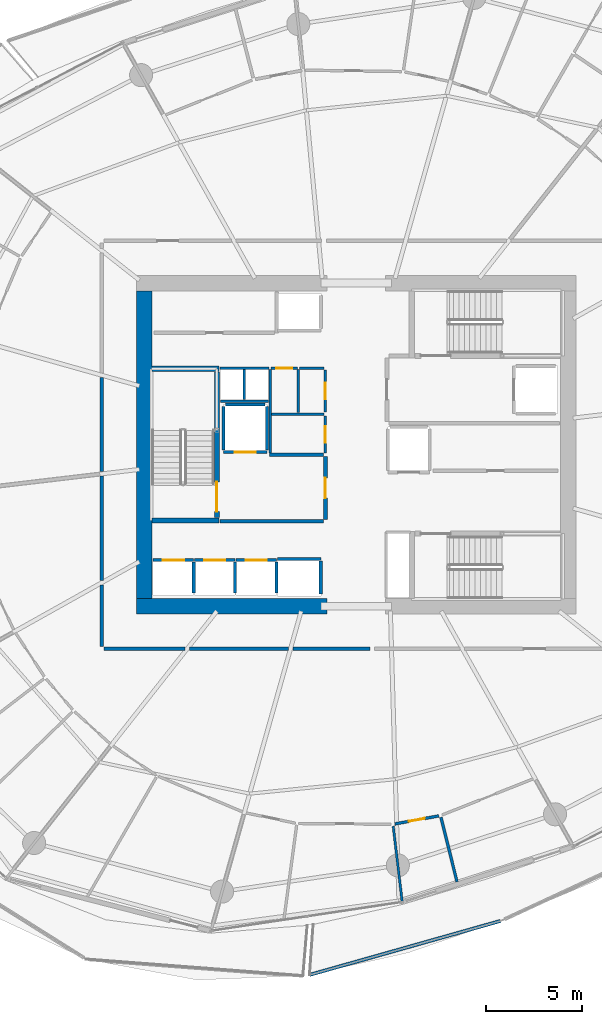
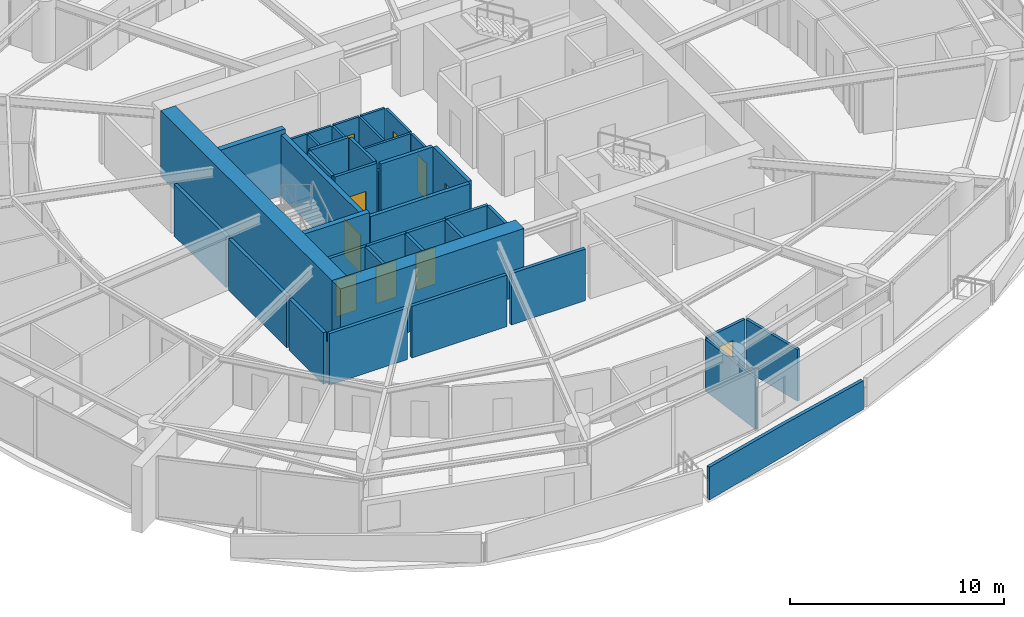
# One storey, part 12 of 23: 40 walls, 10 doors, 10 openings.
"""IFC4 building model written with IfcOpenShell, lengths in metres."""

from ifc_helpers import new_model, si_unit, direction, frame, frame_2d, origin, place, context, subcontext, project, spatial, polyline, rectangle, outline, extrude, material, layer, layer_set, type_object, element, fill, save


model = new_model("IFC4")

# Units and contexts
model_context = context("Model", 3, precision=1e-05, world=origin(), true_north=direction((0.0, 1.0)))
body_context = subcontext(model_context, "Body", "Model", "MODEL_VIEW")
ifc_project = project(units=[si_unit("LENGTHUNIT", "METRE"), si_unit("AREAUNIT", "SQUARE_METRE"), si_unit("VOLUMEUNIT", "CUBIC_METRE"), si_unit("PLANEANGLEUNIT", "RADIAN"), si_unit("MASSUNIT", "GRAM", prefix="KILO")], contexts=[model_context])

# Site, building, storey
site_placement = place(None, origin())
site = spatial("IfcSite", under=ifc_project, at=site_placement, CompositionType="ELEMENT")
building_placement = place(site_placement, origin())
building = spatial("IfcBuilding", under=site, at=building_placement, Name="Kazma Halo Residences", CompositionType="ELEMENT")
storey_placement = place(building_placement, frame((0.0, 0.0, 108.89990234375)))
storey = spatial("IfcBuildingStorey", under=building, at=storey_placement, Name="L27", CompositionType="ELEMENT", Elevation=108.89990234375)

# Walls
ifc_material_1 = material(Name="White Concrete C50/60 Balustrade", Category="concrete")
ifc_layer_1 = layer(ifc_material_1, 0.179931640625)
ifc_layer_set_1 = layer_set([ifc_layer_1], Name="White Concrete C50/60 Balustrade")
wall_type_1 = type_object("IfcWallType", Name="WL-BAL-WAVE-180", PredefinedType="PARAPET", material=ifc_layer_set_1)
wall_1_placement = place(storey_placement, frame((46.0, 14.43603515625, 0.0), z_axis=(0.0, 0.0, 1.0), x_axis=(0.962322473133, 0.271910753195, 0.0)))
element("IfcWall", 1, at=wall_1_placement, inside=storey, type_object=wall_type_1, Name="L27 white wave balustrade wall SSE.1", PredefinedType="PARAPET", context=body_context, shape_type="SweptSolid", body=[
    extrude(outline(polyline([(0.0, 0.0), (10.3076171875, 0.0), (10.3076171875, 1.632080078125), (5.15380859375, 1.798095703125), (0.0, 1.860107421875), (0.0, 0.0)])), frame((0.0, 0.08984375, 0.0), z_axis=(0.0, -1.0, 0.0), x_axis=(1.0, 0.0, 0.0)), (0.0, 0.0, 1.0), 0.179931640625),
])
ifc_material_2 = material(Name="Concrete C80/95", Category="concrete")
ifc_layer_2 = layer(ifc_material_2, 0.800048828125)
ifc_layer_set_2 = layer_set([ifc_layer_2], Name="Concrete C80/95")
wall_type_2 = type_object("IfcWallType", Name="WL-CORE-800", PredefinedType="SHEAR", material=ifc_layer_set_2)
wall_2_placement = place(storey_placement, frame((37.0, 33.60009765625, 0.0), z_axis=(0.0, 0.0, 1.0), x_axis=(1.0, 0.0, 0.0)))
element("IfcWall", 2, at=wall_2_placement, inside=storey, type_object=wall_type_2, Name="L27 central core shear wall SW", PredefinedType="SHEAR", context=body_context, shape_type="SweptSolid", body=[
    extrude(rectangle(XDim=9.89990234375, YDim=0.800048828125, at=frame_2d((4.949951171875, 0.0))), origin(), (0.0, 0.0, 1.0), 3.75),
])
wall_3_placement = place(storey_placement, frame((37.39990234375, 34.0, 0.0), z_axis=(0.0, 0.0, 1.0), x_axis=(0.0, 1.0, 0.0)))
element("IfcWall", 3, at=wall_3_placement, inside=storey, type_object=wall_type_2, Name="L27 central core shear wall W", PredefinedType="SHEAR", context=body_context, shape_type="SweptSolid", body=[
    extrude(rectangle(XDim=16.0, YDim=0.800048828125, at=frame_2d((8.0, 0.0))), origin(), (0.0, 0.0, 1.0), 3.75),
])
ifc_material_3 = material(Name="Concrete C60/75", Category="concrete")
ifc_layer_3 = layer(ifc_material_3, 0.280029296875)
ifc_layer_set_3 = layer_set([ifc_layer_3], Name="Concrete C60/75")
wall_type_3 = type_object("IfcWallType", Name="WL-CORE-ST-280", PredefinedType="SHEAR", material=ifc_layer_set_3)
for number, where, z_axis, x_axis, name in (
    (4, (37.800048828125, 38.06005859375, 0.0), (0.0, 0.0, 1.0), (1.0, 0.0, 0.0), "L27 stairwell bearing wall ST01-S"),
    (5, (37.800048828125, 45.93994140625, 0.0), (0.0, 0.0, 1.0), (1.0, 0.0, 0.0), "L27 stairwell bearing wall ST01-N"),
):
    element("IfcWall", number, at=place(storey_placement, frame(where, z_axis=z_axis, x_axis=x_axis)), inside=storey, type_object=wall_type_3, Name=name, PredefinedType="SHEAR", context=body_context, shape_type="SweptSolid", body=[
        extrude(rectangle(XDim=3.5, YDim=0.280029296875, at=frame_2d((1.75, 0.0))), origin(), (0.0, 0.0, 1.0), 3.75),
    ])
ifc_material_4 = material(Name="Acoustic Twin-Stud Gypsum")
ifc_layer_4 = layer(ifc_material_4, 0.179931640625)
ifc_layer_set_4 = layer_set([ifc_layer_4], Name="Acoustic Twin-Stud Gypsum")
wall_type_4 = type_object("IfcWallType", Name="WL-DEM-180", PredefinedType="PARTITIONING", material=ifc_layer_set_4)
wall_4_placement = place(storey_placement, frame((35.199951171875, 45.489990234375, 0.0), z_axis=(0.0, 0.0, 1.0), x_axis=(0.0, -1.0, 0.0)))
element("IfcWall", 6, at=wall_4_placement, inside=storey, type_object=wall_type_4, Name="L27 Apartment 1 inner wall 6", PredefinedType="PARTITIONING", context=body_context, shape_type="SweptSolid", body=[
    extrude(rectangle(XDim=4.885009765625, YDim=0.179931640625, at=frame_2d((2.4423828125, 0.0))), origin(), (0.0, 0.0, 1.0), 2.940185546875),
])
wall_5_placement = place(storey_placement, frame((35.199951171875, 40.364990234375, 0.0), z_axis=(0.0, 0.0, 1.0), x_axis=(0.0, -1.0, 0.0)))
element("IfcWall", 7, at=wall_5_placement, inside=storey, type_object=wall_type_4, Name="L27 Apartment 2 inner wall 7", PredefinedType="PARTITIONING", context=body_context, shape_type="SweptSolid", body=[
    extrude(rectangle(XDim=5.413330078125, YDim=0.179931640625, at=frame_2d((2.70654296875, 0.0))), origin(), (0.0, 0.0, 1.0), 2.940185546875),
])
wall_6_placement = place(storey_placement, frame((35.199951171875, 34.711669921875, 0.0), z_axis=(0.0, 0.0, 1.0), x_axis=(0.0, -1.0, 0.0)))
element("IfcWall", 8, at=wall_6_placement, inside=storey, type_object=wall_type_4, Name="L27 Apartment 2 inner wall 8", PredefinedType="PARTITIONING", context=body_context, shape_type="SweptSolid", body=[
    extrude(rectangle(XDim=3.191650390625, YDim=0.179931640625, at=frame_2d((1.595703125, 0.0))), origin(), (0.0, 0.0, 1.0), 2.940185546875),
])
wall_7_placement = place(storey_placement, frame((35.320068359375, 31.39990234375, 0.0), z_axis=(0.0, 0.0, 1.0), x_axis=(1.0, 0.0, 0.0)))
element("IfcWall", 9, at=wall_7_placement, inside=storey, type_object=wall_type_4, Name="L27 Apartment 2 inner wall 8", PredefinedType="PARTITIONING", context=body_context, shape_type="SweptSolid", body=[
    extrude(rectangle(XDim=4.20361328125, YDim=0.179931640625, at=frame_2d((2.101806640625, 0.0))), origin(), (0.0, 0.0, 1.0), 2.940185546875),
])
wall_8_placement = place(storey_placement, frame((39.763671875, 31.39990234375, 0.0), z_axis=(0.0, 0.0, 1.0), x_axis=(1.0, 0.0, 0.0)))
element("IfcWall", 10, at=wall_8_placement, inside=storey, type_object=wall_type_4, Name="L27 Apartment 2 inner wall 9", PredefinedType="PARTITIONING", context=body_context, shape_type="SweptSolid", body=[
    extrude(rectangle(XDim=5.126708984375, YDim=0.179931640625, at=frame_2d((2.5634765625, 0.0))), origin(), (0.0, 0.0, 1.0), 2.940185546875),
])
wall_9_placement = place(storey_placement, frame((45.130615234375, 31.39990234375, 0.0), z_axis=(0.0, 0.0, 1.0), x_axis=(1.0, 0.0, 0.0)))
element("IfcWall", 11, at=wall_9_placement, inside=storey, type_object=wall_type_4, Name="L27 Apartment 2 inner wall 10", PredefinedType="PARTITIONING", context=body_context, shape_type="SweptSolid", body=[
    extrude(rectangle(XDim=4.00390625, YDim=0.179931640625, at=frame_2d((2.001953125, 0.0))), origin(), (0.0, 0.0, 1.0), 2.940185546875),
])

# Wall, opening, door
ifc_material_5 = material(Name="Fire-Rated Blockwork Masonry", Category="masonry")
ifc_layer_5 = layer(ifc_material_5, 0.199951171875)
ifc_layer_set_5 = layer_set([ifc_layer_5], Name="Fire-Rated Blockwork Masonry")
wall_type_5 = type_object("IfcWallType", Name="WL-FLB-200", PredefinedType="PARTITIONING", material=ifc_layer_set_5)
wall_10_placement = place(storey_placement, frame((37.864990234375, 36.0048828125, 0.0), z_axis=(0.0, 0.0, 1.0), x_axis=(1.0, 0.0, 0.0)))
wall_10 = element("IfcWall", 12, at=wall_10_placement, inside=storey, type_object=wall_type_5, Name="L27 lift shaft PL-01 front wall", PredefinedType="PARTITIONING", context=body_context, shape_type="SweptSolid", body=[
    extrude(rectangle(XDim=2.110107421875, YDim=0.159912109375, at=frame_2d((1.05517578125, 0.0))), origin(), (0.0, 0.0, 1.0), 3.5),
])
opening_1_placement = place(wall_10_placement, frame((0.5048828125, 0.0, 0.0)))
opening_1 = element("IfcOpeningElement", 13, at=opening_1_placement, cuts=wall_10, Name="Opening LD-PL-01", PredefinedType="OPENING", context=body_context, shape_type="SweptSolid", body=[
    extrude(rectangle(XDim=1.10009765625, YDim=2.10009765625, at=frame_2d((0.550048828125, 1.050048828125))), frame((0.0, 0.08984375, 0.0), z_axis=(0.0, -1.0, 0.0), x_axis=(1.0, 0.0, 0.0)), (0.0, 0.0, 1.0), 0.179931640625),
])
ifc_material_6 = material(Name="Stainless Steel Fire-Rated", Category="steel")
door_type_1 = type_object("IfcDoorType", Name="DR-LIFT-SLD-1100", OperationType="DOUBLE_DOOR_SLIDING", PredefinedType="DOOR", material=ifc_material_6)
door_1_placement = place(opening_1_placement, origin())
door_1 = element("IfcDoor", 14, at=door_1_placement, inside=storey, type_object=door_type_1, Name="L27 lift PL-01 sliding landing door", OperationType="DOUBLE_DOOR_SLIDING", OverallHeight=2.10009765625, OverallWidth=1.10009765625, PredefinedType="DOOR", context=body_context, shape_type="SweptSolid", body=[
    extrude(rectangle(XDim=1.10009765625, YDim=2.10009765625, at=frame_2d((0.550048828125, 1.050048828125))), frame((0.0, 0.02490234375, 0.0), z_axis=(0.0, -1.0, 0.0), x_axis=(1.0, 0.0, 0.0)), (0.0, 0.0, 1.0), 0.050048828125),
])
fill(opening_1, door_1)

# Wall
wall_11_placement = place(storey_placement, frame((39.97509765625, 34.294921875, 0.0), z_axis=(0.0, 0.0, 1.0), x_axis=(0.0, 1.0, 0.0)))
element("IfcWall", 15, at=wall_11_placement, inside=storey, type_object=wall_type_5, Name="L27 lift shaft PL-01 side wall E", PredefinedType="PARTITIONING", context=body_context, shape_type="SweptSolid", body=[
    extrude(rectangle(XDim=1.610107421875, YDim=0.159912109375, at=frame_2d((0.80517578125, 0.0))), origin(), (0.0, 0.0, 1.0), 3.5),
])

# Wall, opening, door
wall_12_placement = place(storey_placement, frame((40.014892578125, 36.0048828125, 0.0), z_axis=(0.0, 0.0, 1.0), x_axis=(1.0, 0.0, 0.0)))
wall_12 = element("IfcWall", 16, at=wall_12_placement, inside=storey, type_object=wall_type_5, Name="L27 lift shaft PL-02 front wall", PredefinedType="PARTITIONING", context=body_context, shape_type="SweptSolid", body=[
    extrude(rectangle(XDim=2.110107421875, YDim=0.159912109375, at=frame_2d((1.05517578125, 0.0))), origin(), (0.0, 0.0, 1.0), 3.5),
])
opening_2_placement = place(wall_12_placement, frame((0.5048828125, 0.0, 0.0)))
opening_2 = element("IfcOpeningElement", 17, at=opening_2_placement, cuts=wall_12, Name="Opening LD-PL-02", PredefinedType="OPENING", context=body_context, shape_type="SweptSolid", body=[
    extrude(rectangle(XDim=1.10009765625, YDim=2.10009765625, at=frame_2d((0.550048828125, 1.050048828125))), frame((0.0, 0.08984375, 0.0), z_axis=(0.0, -1.0, 0.0), x_axis=(1.0, 0.0, 0.0)), (0.0, 0.0, 1.0), 0.179931640625),
])
door_2_placement = place(opening_2_placement, origin())
door_2 = element("IfcDoor", 18, at=door_2_placement, inside=storey, type_object=door_type_1, Name="L27 lift PL-02 sliding landing door", OperationType="DOUBLE_DOOR_SLIDING", OverallHeight=2.10009765625, OverallWidth=1.10009765625, PredefinedType="DOOR", context=body_context, shape_type="SweptSolid", body=[
    extrude(rectangle(XDim=1.10009765625, YDim=2.10009765625, at=frame_2d((0.550048828125, 1.050048828125))), frame((0.0, 0.02490234375, 0.0), z_axis=(0.0, -1.0, 0.0), x_axis=(1.0, 0.0, 0.0)), (0.0, 0.0, 1.0), 0.050048828125),
])
fill(opening_2, door_2)

# Wall
wall_13_placement = place(storey_placement, frame((42.125, 34.294921875, 0.0), z_axis=(0.0, 0.0, 1.0), x_axis=(0.0, 1.0, 0.0)))
element("IfcWall", 19, at=wall_13_placement, inside=storey, type_object=wall_type_5, Name="L27 lift shaft PL-02 side wall E", PredefinedType="PARTITIONING", context=body_context, shape_type="SweptSolid", body=[
    extrude(rectangle(XDim=1.610107421875, YDim=0.159912109375, at=frame_2d((0.80517578125, 0.0))), origin(), (0.0, 0.0, 1.0), 3.5),
])

# Wall, opening, door
wall_14_placement = place(storey_placement, frame((42.1650390625, 36.0048828125, 0.0), z_axis=(0.0, 0.0, 1.0), x_axis=(1.0, 0.0, 0.0)))
wall_14 = element("IfcWall", 20, at=wall_14_placement, inside=storey, type_object=wall_type_5, Name="L27 lift shaft PL-03 front wall", PredefinedType="PARTITIONING", context=body_context, shape_type="SweptSolid", body=[
    extrude(rectangle(XDim=2.10986328125, YDim=0.159912109375, at=frame_2d((1.054931640625, 0.0))), origin(), (0.0, 0.0, 1.0), 3.5),
])
opening_3_placement = place(wall_14_placement, frame((0.5048828125, 0.0, 0.0)))
opening_3 = element("IfcOpeningElement", 21, at=opening_3_placement, cuts=wall_14, Name="Opening LD-PL-03", PredefinedType="OPENING", context=body_context, shape_type="SweptSolid", body=[
    extrude(rectangle(XDim=1.10009765625, YDim=2.10009765625, at=frame_2d((0.550048828125, 1.050048828125))), frame((0.0, 0.08984375, 0.0), z_axis=(0.0, -1.0, 0.0), x_axis=(1.0, 0.0, 0.0)), (0.0, 0.0, 1.0), 0.179931640625),
])
door_3_placement = place(opening_3_placement, origin())
door_3 = element("IfcDoor", 22, at=door_3_placement, inside=storey, type_object=door_type_1, Name="L27 lift PL-03 sliding landing door", OperationType="DOUBLE_DOOR_SLIDING", OverallHeight=2.10009765625, OverallWidth=1.10009765625, PredefinedType="DOOR", context=body_context, shape_type="SweptSolid", body=[
    extrude(rectangle(XDim=1.10009765625, YDim=2.10009765625, at=frame_2d((0.550048828125, 1.050048828125))), frame((0.0, 0.02490234375, 0.0), z_axis=(0.0, -1.0, 0.0), x_axis=(1.0, 0.0, 0.0)), (0.0, 0.0, 1.0), 0.050048828125),
])
fill(opening_3, door_3)

# Walls
wall_15_placement = place(storey_placement, frame((44.27490234375, 34.294921875, 0.0), z_axis=(0.0, 0.0, 1.0), x_axis=(0.0, 1.0, 0.0)))
element("IfcWall", 23, at=wall_15_placement, inside=storey, type_object=wall_type_5, Name="L27 lift shaft PL-03 side wall E", PredefinedType="PARTITIONING", context=body_context, shape_type="SweptSolid", body=[
    extrude(rectangle(XDim=1.610107421875, YDim=0.159912109375, at=frame_2d((0.80517578125, 0.0))), origin(), (0.0, 0.0, 1.0), 3.5),
])
wall_16_placement = place(storey_placement, frame((44.320068359375, 36.054931640625, 0.0), z_axis=(0.0, 0.0, 1.0), x_axis=(1.0, 0.0, 0.0)))
element("IfcWall", 24, at=wall_16_placement, inside=storey, type_object=wall_type_5, Name="L27 lift shaft PX-02 front wall", PredefinedType="PARTITIONING", context=body_context, shape_type="SweptSolid", body=[
    extrude(rectangle(XDim=2.260009765625, YDim=0.159912109375, at=frame_2d((1.1298828125, 0.0))), origin(), (0.0, 0.0, 1.0), 3.5),
])
wall_17_placement = place(storey_placement, frame((46.580078125, 34.2451171875, 0.0), z_axis=(0.0, 0.0, 1.0), x_axis=(0.0, 1.0, 0.0)))
element("IfcWall", 25, at=wall_17_placement, inside=storey, type_object=wall_type_5, Name="L27 lift shaft PX-02 side wall E", PredefinedType="PARTITIONING", context=body_context, shape_type="SweptSolid", body=[
    extrude(rectangle(XDim=1.7099609375, YDim=0.159912109375, at=frame_2d((0.85498046875, 0.0))), origin(), (0.0, 0.0, 1.0), 3.5),
])

# Wall, opening, door
wall_18_placement = place(storey_placement, frame((43.780029296875, 41.6201171875, 0.0), z_axis=(0.0, 0.0, 1.0), x_axis=(-1.0, 0.0, 0.0)))
wall_18 = element("IfcWall", 26, at=wall_18_placement, inside=storey, type_object=wall_type_5, Name="L27 lift shaft FL-01 front wall", PredefinedType="PARTITIONING", context=body_context, shape_type="SweptSolid", body=[
    extrude(rectangle(XDim=2.260009765625, YDim=0.159912109375, at=frame_2d((1.1298828125, 0.0))), origin(), (0.0, 0.0, 1.0), 3.5),
])
opening_4_placement = place(wall_18_placement, frame((0.580078125, 0.0, 0.0)))
opening_4 = element("IfcOpeningElement", 27, at=opening_4_placement, cuts=wall_18, Name="Opening LD-FL-01", PredefinedType="OPENING", context=body_context, shape_type="SweptSolid", body=[
    extrude(rectangle(XDim=1.10009765625, YDim=2.10009765625, at=frame_2d((0.550048828125, 1.050048828125))), frame((0.0, 0.08984375, 0.0), z_axis=(0.0, -1.0, 0.0), x_axis=(1.0, 0.0, 0.0)), (0.0, 0.0, 1.0), 0.179931640625),
])
door_4_placement = place(opening_4_placement, origin())
door_4 = element("IfcDoor", 28, at=door_4_placement, inside=storey, type_object=door_type_1, Name="L27 lift FL-01 sliding landing door", OperationType="DOUBLE_DOOR_SLIDING", OverallHeight=2.10009765625, OverallWidth=1.10009765625, PredefinedType="DOOR", context=body_context, shape_type="SweptSolid", body=[
    extrude(rectangle(XDim=1.10009765625, YDim=2.10009765625, at=frame_2d((0.550048828125, 1.050048828125))), frame((0.0, 0.02490234375, 0.0), z_axis=(0.0, -1.0, 0.0), x_axis=(1.0, 0.0, 0.0)), (0.0, 0.0, 1.0), 0.050048828125),
])
fill(opening_4, door_4)

# Walls
for number, where, z_axis, x_axis, name in (
    (29, (43.780029296875, 41.719970703125, 0.0), (0.0, 0.0, 1.0), (0.0, 1.0, 0.0), "L27 lift shaft FL-01 side wall E"),
    (30, (41.52001953125, 41.719970703125, 0.0), (0.0, 0.0, 1.0), (0.0, 1.0, 0.0), "L27 lift shaft FL-01 side wall W"),
):
    element("IfcWall", number, at=place(storey_placement, frame(where, z_axis=z_axis, x_axis=x_axis)), inside=storey, type_object=wall_type_5, Name=name, PredefinedType="PARTITIONING", context=body_context, shape_type="SweptSolid", body=[
        extrude(rectangle(XDim=2.260009765625, YDim=0.159912109375, at=frame_2d((1.1298828125, 0.0))), origin(), (0.0, 0.0, 1.0), 3.5),
    ])
wall_19_placement = place(storey_placement, frame((41.6201171875, 44.080078125, 0.0), z_axis=(0.0, 0.0, 1.0), x_axis=(1.0, 0.0, 0.0)))
element("IfcWall", 31, at=wall_19_placement, inside=storey, type_object=wall_type_5, Name="L27 lift shaft FL-01 side wall N", PredefinedType="PARTITIONING", context=body_context, shape_type="SweptSolid", body=[
    extrude(rectangle(XDim=2.059814453125, YDim=0.159912109375, at=frame_2d((1.02978515625, 0.0))), origin(), (0.0, 0.0, 1.0), 3.5),
])
wall_20_placement = place(storey_placement, frame((41.35009765625, 38.02001953125, 0.0), z_axis=(0.0, 0.0, 1.0), x_axis=(1.0, 0.0, 0.0)))
element("IfcWall", 32, at=wall_20_placement, inside=storey, type_object=wall_type_5, Name="L27 west firefighting lobby south smoke wall", PredefinedType="PARTITIONING", context=body_context, shape_type="SweptSolid", body=[
    extrude(rectangle(XDim=5.369873046875, YDim=0.199951171875, at=frame_2d((2.68505859375, 0.0))), origin(), (0.0, 0.0, 1.0), 3.5),
])
wall_21_placement = place(storey_placement, frame((43.919921875, 41.47998046875, 0.0), z_axis=(0.0, 0.0, 1.0), x_axis=(1.0, 0.0, 0.0)))
element("IfcWall", 33, at=wall_21_placement, inside=storey, type_object=wall_type_5, Name="L27 west firefighting lobby north smoke wall", PredefinedType="PARTITIONING", context=body_context, shape_type="SweptSolid", body=[
    extrude(rectangle(XDim=2.800048828125, YDim=0.199951171875, at=frame_2d((1.39990234375, 0.0))), origin(), (0.0, 0.0, 1.0), 3.5),
])

# Wall, opening, door
wall_22_placement = place(storey_placement, frame((46.820068359375, 38.1201171875, 0.0), z_axis=(0.0, 0.0, 1.0), x_axis=(0.0, 1.0, 0.0)))
wall_22 = element("IfcWall", 34, at=wall_22_placement, inside=storey, type_object=wall_type_5, Name="L27 west firefighting lobby smoke wall", PredefinedType="PARTITIONING", context=body_context, shape_type="SweptSolid", body=[
    extrude(rectangle(XDim=3.259765625, YDim=0.199951171875, at=frame_2d((1.6298828125, 0.0))), origin(), (0.0, 0.0, 1.0), 3.5),
])
opening_5_placement = place(wall_22_placement, frame((1.10498046875, 0.0, 0.0)))
opening_5 = element("IfcOpeningElement", 35, at=opening_5_placement, cuts=wall_22, Name="Opening D-FLW", PredefinedType="OPENING", context=body_context, shape_type="SweptSolid", body=[
    extrude(rectangle(XDim=1.050048828125, YDim=2.10009765625, at=frame_2d((0.52490234375, 1.050048828125))), frame((0.0, 0.10986328125, 0.0), z_axis=(0.0, -1.0, 0.0), x_axis=(1.0, 0.0, 0.0)), (0.0, 0.0, 1.0), 0.219970703125),
])
ifc_material_7 = material(Name="Fire-Rated Steel Leaf", Category="steel")
door_type_2 = type_object("IfcDoorType", Name="DR-FD90-1050", OperationType="NOTDEFINED", PredefinedType="DOOR", material=ifc_material_7)
door_5_placement = place(opening_5_placement, origin())
door_5 = element("IfcDoor", 36, at=door_5_placement, inside=storey, type_object=door_type_2, Name="L27 west firefighting lobby smoke door", OperationType="SINGLE_SWING_RIGHT", OverallHeight=2.10009765625, OverallWidth=1.050048828125, PredefinedType="DOOR", context=body_context, shape_type="SweptSolid", body=[
    extrude(rectangle(XDim=1.050048828125, YDim=2.10009765625, at=frame_2d((0.52490234375, 1.050048828125))), frame((0.0, 0.02490234375, 0.0), z_axis=(0.0, -1.0, 0.0), x_axis=(1.0, 0.0, 0.0)), (0.0, 0.0, 1.0), 0.050048828125),
])
fill(opening_5, door_5)

# Walls
ifc_material_8 = material(Name="Gypsum Plasterboard Partition")
ifc_layer_6 = layer(ifc_material_8, 0.125)
ifc_layer_set_6 = layer_set([ifc_layer_6], Name="Gypsum Plasterboard Partition")
wall_type_6 = type_object("IfcWallType", Name="WL-PART-125", PredefinedType="PARTITIONING", material=ifc_layer_set_6)
wall_23_placement = place(storey_placement, frame((41.360107421875, 44.260009765625, 0.0), z_axis=(0.0, 0.0, 1.0), x_axis=(1.0, 0.0, 0.0)))
element("IfcWall", 37, at=wall_23_placement, inside=storey, type_object=wall_type_6, Name="L27 core riser south wall", PredefinedType="PARTITIONING", context=body_context, shape_type="SweptSolid", body=[
    extrude(rectangle(XDim=2.5, YDim=0.125, at=frame_2d((1.25, 0.0))), origin(), (0.0, 0.0, 1.0), 2.940185546875),
])
wall_24_placement = place(storey_placement, frame((42.60009765625, 44.35009765625, 0.0), z_axis=(0.0, 0.0, 1.0), x_axis=(0.0, 1.0, 0.0)))
element("IfcWall", 38, at=wall_24_placement, inside=storey, type_object=wall_type_6, Name="L27 core riser divider wall", PredefinedType="PARTITIONING", context=body_context, shape_type="SweptSolid", body=[
    extrude(rectangle(XDim=1.5498046875, YDim=0.125, at=frame_2d((0.77490234375, 0.0))), origin(), (0.0, 0.0, 1.0), 2.940185546875),
])
wall_25_placement = place(storey_placement, frame((43.949951171875, 41.580078125, 0.0), z_axis=(0.0, 0.0, 1.0), x_axis=(0.0, 1.0, 0.0)))
element("IfcWall", 39, at=wall_25_placement, inside=storey, type_object=wall_type_6, Name="L27 core service west wall", PredefinedType="PARTITIONING", context=body_context, shape_type="SweptSolid", body=[
    extrude(rectangle(XDim=4.31982421875, YDim=0.125, at=frame_2d((2.159912109375, 0.0))), origin(), (0.0, 0.0, 1.0), 2.940185546875),
])
wall_26_placement = place(storey_placement, frame((44.030029296875, 43.590087890625, 0.0), z_axis=(0.0, 0.0, 1.0), x_axis=(1.0, 0.0, 0.0)))
element("IfcWall", 40, at=wall_26_placement, inside=storey, type_object=wall_type_6, Name="L27 core service horiz divider", PredefinedType="PARTITIONING", context=body_context, shape_type="SweptSolid", body=[
    extrude(rectangle(XDim=2.7099609375, YDim=0.125, at=frame_2d((1.35498046875, 0.0))), origin(), (0.0, 0.0, 1.0), 2.940185546875),
])
wall_27_placement = place(storey_placement, frame((45.409912109375, 43.669921875, 0.0), z_axis=(0.0, 0.0, 1.0), x_axis=(0.0, 1.0, 0.0)))
element("IfcWall", 41, at=wall_27_placement, inside=storey, type_object=wall_type_6, Name="L27 core service vert divider", PredefinedType="PARTITIONING", context=body_context, shape_type="SweptSolid", body=[
    extrude(rectangle(XDim=2.22998046875, YDim=0.125, at=frame_2d((1.114990234375, 0.0))), origin(), (0.0, 0.0, 1.0), 2.940185546875),
])

# Wall, opening, door
wall_28_placement = place(storey_placement, frame((46.820068359375, 41.580078125, 0.0), z_axis=(0.0, 0.0, 1.0), x_axis=(0.0, 1.0, 0.0)))
wall_28 = element("IfcWall", 42, at=wall_28_placement, inside=storey, type_object=wall_type_6, Name="L27 refuse room east wall", PredefinedType="PARTITIONING", context=body_context, shape_type="SweptSolid", body=[
    extrude(rectangle(XDim=1.909912109375, YDim=0.125, at=frame_2d((0.955078125, 0.0))), origin(), (0.0, 0.0, 1.0), 2.940185546875),
])
opening_6_placement = place(wall_28_placement, frame((0.530029296875, 0.0, 0.0)))
opening_6 = element("IfcOpeningElement", 43, at=opening_6_placement, cuts=wall_28, Name="Opening DS-850", PredefinedType="OPENING", context=body_context, shape_type="SweptSolid", body=[
    extrude(rectangle(XDim=0.85009765625, YDim=2.06005859375, at=frame_2d((0.425048828125, 1.030029296875))), frame((0.0, 0.072509765625, 0.0), z_axis=(0.0, -1.0, 0.0), x_axis=(1.0, 0.0, 0.0)), (0.0, 0.0, 1.0), 0.14501953125),
])
ifc_material_9 = material(Name="Painted Steel Access Leaf", Category="steel")
door_type_3 = type_object("IfcDoorType", Name="DR-SVC-850", OperationType="NOTDEFINED", PredefinedType="DOOR", material=ifc_material_9)
door_6_placement = place(opening_6_placement, origin())
door_6 = element("IfcDoor", 44, at=door_6_placement, inside=storey, type_object=door_type_3, Name="L27 refuse room door", OperationType="SINGLE_SWING_RIGHT", OverallHeight=2.06005859375, OverallWidth=0.85009765625, PredefinedType="DOOR", context=body_context, shape_type="SweptSolid", body=[
    extrude(rectangle(XDim=0.85009765625, YDim=2.06005859375, at=frame_2d((0.425048828125, 1.030029296875))), frame((0.0, 0.02490234375, 0.0), z_axis=(0.0, -1.0, 0.0), x_axis=(1.0, 0.0, 0.0)), (0.0, 0.0, 1.0), 0.050048828125),
])
fill(opening_6, door_6)

wall_29_placement = place(storey_placement, frame((46.820068359375, 43.68994140625, 0.0), z_axis=(0.0, 0.0, 1.0), x_axis=(0.0, 1.0, 0.0)))
wall_29 = element("IfcWall", 45, at=wall_29_placement, inside=storey, type_object=wall_type_6, Name="L27 sub-metering east wall", PredefinedType="PARTITIONING", context=body_context, shape_type="SweptSolid", body=[
    extrude(rectangle(XDim=2.18994140625, YDim=0.125, at=frame_2d((1.094970703125, 0.0))), origin(), (0.0, 0.0, 1.0), 2.940185546875),
])
opening_7_placement = place(wall_29_placement, frame((0.669921875, 0.0, 0.0)))
opening_7 = element("IfcOpeningElement", 46, at=opening_7_placement, cuts=wall_29, Name="Opening DS-850", PredefinedType="OPENING", context=body_context, shape_type="SweptSolid", body=[
    extrude(rectangle(XDim=0.85009765625, YDim=2.06005859375, at=frame_2d((0.425048828125, 1.030029296875))), frame((0.0, 0.072509765625, 0.0), z_axis=(0.0, -1.0, 0.0), x_axis=(1.0, 0.0, 0.0)), (0.0, 0.0, 1.0), 0.14501953125),
])
door_7_placement = place(opening_7_placement, origin())
door_7 = element("IfcDoor", 47, at=door_7_placement, inside=storey, type_object=door_type_3, Name="L27 sub-metering door", OperationType="SINGLE_SWING_LEFT", OverallHeight=2.06005859375, OverallWidth=0.85009765625, PredefinedType="DOOR", context=body_context, shape_type="SweptSolid", body=[
    extrude(rectangle(XDim=0.85009765625, YDim=2.06005859375, at=frame_2d((0.425048828125, 1.030029296875))), frame((0.0, 0.02490234375, 0.0), z_axis=(0.0, -1.0, 0.0), x_axis=(1.0, 0.0, 0.0)), (0.0, 0.0, 1.0), 0.050048828125),
])
fill(opening_7, door_7)

# Wall
wall_30_placement = place(storey_placement, frame((41.35009765625, 45.97998046875, 0.0), z_axis=(0.0, 0.0, 1.0), x_axis=(1.0, 0.0, 0.0)))
element("IfcWall", 48, at=wall_30_placement, inside=storey, type_object=wall_type_6, Name="L27 core riser NW wall", PredefinedType="PARTITIONING", context=body_context, shape_type="SweptSolid", body=[
    extrude(rectangle(XDim=2.52978515625, YDim=0.125, at=frame_2d((1.264892578125, 0.0))), origin(), (0.0, 0.0, 1.0), 2.940185546875),
])

# Wall, opening, door
wall_31_placement = place(storey_placement, frame((43.989990234375, 45.97998046875, 0.0), z_axis=(0.0, 0.0, 1.0), x_axis=(1.0, 0.0, 0.0)))
wall_31 = element("IfcWall", 49, at=wall_31_placement, inside=storey, type_object=wall_type_6, Name="L27 cleaners cupboard north wall", PredefinedType="PARTITIONING", context=body_context, shape_type="SweptSolid", body=[
    extrude(rectangle(XDim=1.380126953125, YDim=0.125, at=frame_2d((0.68994140625, 0.0))), origin(), (0.0, 0.0, 1.0), 2.940185546875),
])
opening_8_placement = place(wall_31_placement, frame((0.264892578125, 0.0, 0.0)))
opening_8 = element("IfcOpeningElement", 50, at=opening_8_placement, cuts=wall_31, Name="Opening DS-850", PredefinedType="OPENING", context=body_context, shape_type="SweptSolid", body=[
    extrude(rectangle(XDim=0.85009765625, YDim=2.06005859375, at=frame_2d((0.425048828125, 1.030029296875))), frame((0.0, 0.072509765625, 0.0), z_axis=(0.0, -1.0, 0.0), x_axis=(1.0, 0.0, 0.0)), (0.0, 0.0, 1.0), 0.14501953125),
])
door_8_placement = place(opening_8_placement, origin())
door_8 = element("IfcDoor", 51, at=door_8_placement, inside=storey, type_object=door_type_3, Name="L27 cleaners cupboard door", OperationType="SINGLE_SWING_RIGHT", OverallHeight=2.06005859375, OverallWidth=0.85009765625, PredefinedType="DOOR", context=body_context, shape_type="SweptSolid", body=[
    extrude(rectangle(XDim=0.85009765625, YDim=2.06005859375, at=frame_2d((0.425048828125, 1.030029296875))), frame((0.0, 0.02490234375, 0.0), z_axis=(0.0, -1.0, 0.0), x_axis=(1.0, 0.0, 0.0)), (0.0, 0.0, 1.0), 0.050048828125),
])
fill(opening_8, door_8)

# Walls
wall_32_placement = place(storey_placement, frame((45.47998046875, 45.97998046875, 0.0), z_axis=(0.0, 0.0, 1.0), x_axis=(1.0, 0.0, 0.0)))
element("IfcWall", 52, at=wall_32_placement, inside=storey, type_object=wall_type_6, Name="L27 sub-metering north wall", PredefinedType="PARTITIONING", context=body_context, shape_type="SweptSolid", body=[
    extrude(rectangle(XDim=1.260009765625, YDim=0.125, at=frame_2d((0.6298828125, 0.0))), origin(), (0.0, 0.0, 1.0), 2.940185546875),
])
wall_33_placement = place(storey_placement, frame((50.347412109375, 22.16650390625, 0.0), z_axis=(0.0, 0.0, 1.0), x_axis=(0.117544011215, -0.993067674143, 0.0)))
element("IfcWall", 53, at=wall_33_placement, inside=storey, type_object=wall_type_6, Name="L27 Apartment 2 radial partition 11", PredefinedType="PARTITIONING", context=body_context, shape_type="SweptSolid", body=[
    extrude(rectangle(XDim=3.950439453125, YDim=0.125, at=frame_2d((1.97509765625, 0.0))), origin(), (0.0, 0.0, 1.0), 2.940185546875),
])

# Wall, opening, door
ifc_material_10 = material(Name="Concrete C50/60", Category="concrete")
ifc_layer_7 = layer(ifc_material_10, 0.25)
ifc_layer_set_7 = layer_set([ifc_layer_7], Name="Concrete C50/60")
wall_type_7 = type_object("IfcWallType", Name="WL-SHF-250", PredefinedType="SOLIDWALL", material=ifc_layer_set_7)
wall_34_placement = place(storey_placement, frame((41.179931640625, 38.219970703125, 0.0), z_axis=(0.0, 0.0, 1.0), x_axis=(0.0, 1.0, 0.0)))
wall_34 = element("IfcWall", 54, at=wall_34_placement, inside=storey, type_object=wall_type_7, Name="L27 exit stair ST-01 enclosure wall", PredefinedType="SOLIDWALL", context=body_context, shape_type="SweptSolid", body=[
    extrude(rectangle(XDim=7.56005859375, YDim=0.25, at=frame_2d((3.780029296875, 0.0))), origin(), (0.0, 0.0, 1.0), 3.5),
])
opening_9_placement = place(wall_34_placement, frame((0.300048828125, 0.0, 0.0)))
opening_9 = element("IfcOpeningElement", 55, at=opening_9_placement, cuts=wall_34, Name="Opening D-ST1", PredefinedType="OPENING", context=body_context, shape_type="SweptSolid", body=[
    extrude(rectangle(XDim=1.550048828125, YDim=2.14990234375, at=frame_2d((0.77490234375, 1.074951171875))), frame((0.0, 0.135009765625, 0.0), z_axis=(0.0, -1.0, 0.0), x_axis=(1.0, 0.0, 0.0)), (0.0, 0.0, 1.0), 0.27001953125),
])
ifc_material_11 = material(Name="Fire-Rated Double Steel Leaf", Category="steel")
door_type_4 = type_object("IfcDoorType", Name="DR-FD90-1550", OperationType="NOTDEFINED", PredefinedType="DOOR", material=ifc_material_11)
door_9_placement = place(opening_9_placement, origin())
door_9 = element("IfcDoor", 56, at=door_9_placement, inside=storey, type_object=door_type_4, Name="L27 exit stair ST-01 fire door", OperationType="DOUBLE_DOOR_SINGLE_SWING", OverallHeight=2.14990234375, OverallWidth=1.550048828125, PredefinedType="DOOR", context=body_context, shape_type="SweptSolid", body=[
    extrude(rectangle(XDim=1.550048828125, YDim=2.14990234375, at=frame_2d((0.77490234375, 1.074951171875))), frame((0.0, 0.02490234375, 0.0), z_axis=(0.0, -1.0, 0.0), x_axis=(1.0, 0.0, 0.0)), (0.0, 0.0, 1.0), 0.050048828125),
])
fill(opening_9, door_9)

ifc_material_12 = material(Name="Moisture-Resistant Gypsum")
ifc_layer_8 = layer(ifc_material_12, 0.14990234375)
ifc_layer_set_8 = layer_set([ifc_layer_8], Name="Moisture-Resistant Gypsum")
wall_type_8 = type_object("IfcWallType", Name="WL-WET-150", PredefinedType="PARTITIONING", material=ifc_layer_set_8)
wall_35_placement = place(storey_placement, frame((50.43408203125, 22.28369140625, 0.0), z_axis=(0.0, 0.0, 1.0), x_axis=(0.983653785842, 0.18007006858, 0.0)))
wall_35 = element("IfcWall", 57, at=wall_35_placement, inside=storey, type_object=wall_type_8, Name="L27 Apartment 2 Outer En-Suite Bathroom hall wall", PredefinedType="PARTITIONING", context=body_context, shape_type="SweptSolid", body=[
    extrude(rectangle(XDim=2.321044921875, YDim=0.14990234375, at=frame_2d((1.16064453125, 0.0))), origin(), (0.0, 0.0, 1.0), 2.940185546875),
])
opening_10_placement = place(wall_35_placement, frame((0.735595703125, 0.0, 0.0)))
opening_10 = element("IfcOpeningElement", 58, at=opening_10_placement, cuts=wall_35, Name="Opening DB-900", PredefinedType="OPENING", context=body_context, shape_type="SweptSolid", body=[
    extrude(rectangle(XDim=0.85009765625, YDim=2.06005859375, at=frame_2d((0.425048828125, 1.030029296875))), frame((0.0, 0.0849609375, 0.0), z_axis=(0.0, -1.0, 0.0), x_axis=(1.0, 0.0, 0.0)), (0.0, 0.0, 1.0), 0.169921875),
])
ifc_material_13 = material(Name="Moisture-Sealed Timber Leaf", Category="wood")
door_type_5 = type_object("IfcDoorType", Name="DR-BTH-900", OperationType="NOTDEFINED", PredefinedType="DOOR", material=ifc_material_13)
door_10_placement = place(opening_10_placement, origin())
door_10 = element("IfcDoor", 59, at=door_10_placement, inside=storey, type_object=door_type_5, Name="L27 Apartment 2 Outer En-Suite Bathroom door", OperationType="SINGLE_SWING_LEFT", OverallHeight=2.06005859375, OverallWidth=0.85009765625, PredefinedType="DOOR", context=body_context, shape_type="SweptSolid", body=[
    extrude(rectangle(XDim=0.85009765625, YDim=2.06005859375, at=frame_2d((0.425048828125, 1.030029296875))), frame((0.0, 0.02490234375, 0.0), z_axis=(0.0, -1.0, 0.0), x_axis=(1.0, 0.0, 0.0)), (0.0, 0.0, 1.0), 0.050048828125),
])
fill(opening_10, door_10)

# Wall
wall_36_placement = place(storey_placement, frame((52.82763671875, 22.630615234375, 0.0), z_axis=(0.0, 0.0, 1.0), x_axis=(0.241821205531, -0.970320825581, 0.0)))
element("IfcWall", 60, at=wall_36_placement, inside=storey, type_object=wall_type_8, Name="L27 Apartment 2 Outer En-Suite Bathroom side wall", PredefinedType="PARTITIONING", context=body_context, shape_type="SweptSolid", body=[
    extrude(rectangle(XDim=3.457763671875, YDim=0.14990234375, at=frame_2d((1.72900390625, 0.0))), origin(), (0.0, 0.0, 1.0), 2.940185546875),
])

save(model, "model.ifc")
